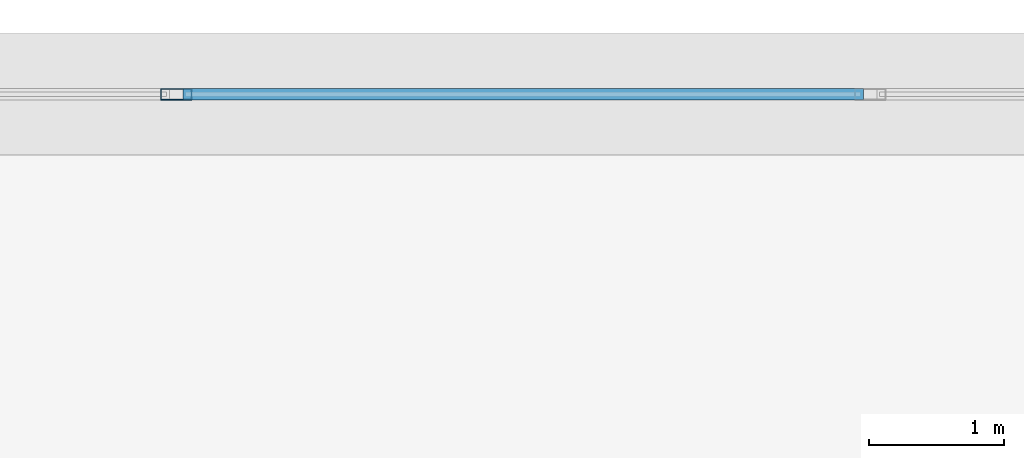
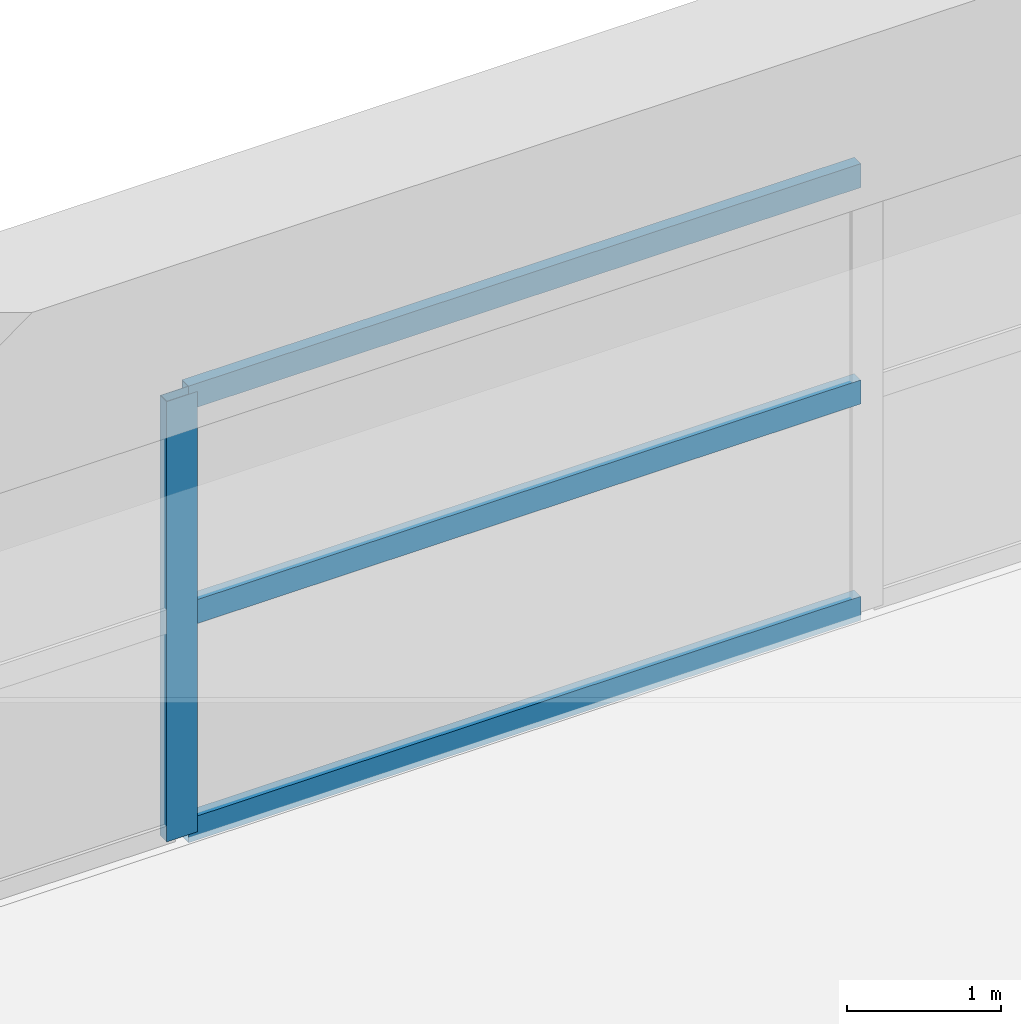
# One storey, part 20 of 43: 4 members, 1 element without a shape of its own.
"""IFC4 building model written with IfcOpenShell, lengths in metres."""

from ifc_helpers import new_model, si_unit, direction, frame, origin, origin_2d, place, context, subcontext, project, spatial, hollow_rectangle, extrude, material, material_profile, profile_set, type_object, element, aggregate, save


model = new_model("IFC4")

# Units and contexts
model_context = context("Model", 3, precision=1e-05, world=origin(), true_north=direction((0.0, 1.0)))
body_context = subcontext(model_context, "Body", "Model", "MODEL_VIEW")
ifc_project = project(units=[si_unit("LENGTHUNIT", "METRE"), si_unit("AREAUNIT", "SQUARE_METRE"), si_unit("VOLUMEUNIT", "CUBIC_METRE"), si_unit("PLANEANGLEUNIT", "RADIAN"), si_unit("MASSUNIT", "GRAM", prefix="KILO")], contexts=[model_context])

# Site, building, storey
site_placement = place(None, origin())
site = spatial("IfcSite", under=ifc_project, at=site_placement, CompositionType="ELEMENT")
building_placement = place(site_placement, origin())
building = spatial("IfcBuilding", under=site, at=building_placement, Name="Kovane Verandah Tower", CompositionType="ELEMENT")
storey_placement = place(building_placement, frame((0.0, 0.0, 11.199951171875)))
storey = spatial("IfcBuildingStorey", under=building, at=storey_placement, Name="L02", CompositionType="ELEMENT", Elevation=11.199951171875)

# Curtain wall, members
ifc_material_1 = material(Name="Champagne Anodised Aluminium Frame with Low-E Clear Laminated Glass", Category="aluminium")
curtain_wall_type = type_object("IfcCurtainWallType", Name="CW-SYS-01-POD", PredefinedType="NOTDEFINED", material=ifc_material_1)
curtain_wall_placement = place(storey_placement, origin())
curtain_wall = element("IfcCurtainWall", 1, at=curtain_wall_placement, inside=storey, type_object=curtain_wall_type, Name="L02 North Podium Curtain Wall Bay 4", PredefinedType="NOTDEFINED")
ifc_material_2 = material(Name="Champagne Anodised Aluminium 6063-T6", Category="aluminium")
ifc_material_profile_1 = material_profile(ifc_material_2, hollow_rectangle(XDim=0.0849609375, YDim=0.22998046875, WallThickness=0.00390625, at=origin_2d()), Name="AL85x230x4")
ifc_profile_set_1 = profile_set([ifc_material_profile_1], Name="Champagne Anodised Aluminium 6063-T6")
member_type_1 = type_object("IfcMemberType", Name="CW-MUL-85x230", PredefinedType="MULLION", material=ifc_profile_set_1)
member_1_placement = place(storey_placement, frame((34.860107421875, 56.5, 0.02001953125), z_axis=(0.0, 0.0, 1.0), x_axis=(0.0, 1.0, 0.0)))
member_1 = element("IfcMember", 2, at=member_1_placement, type_object=member_type_1, Name="L02 North Podium Curtain Wall Bay 4 Mullion 4", PredefinedType="MULLION", context=body_context, shape_type="SweptSolid", body=[
    extrude(hollow_rectangle(XDim=0.0849609375, YDim=0.22998046875, WallThickness=0.00390625, at=origin_2d()), origin(), (0.0, 0.0, 1.0), 3.489990234375),
])
ifc_material_profile_2 = material_profile(ifc_material_2, hollow_rectangle(XDim=0.0849609375, YDim=0.18994140625, WallThickness=0.00390625, at=origin_2d()), Name="AL85x190x4")
ifc_profile_set_2 = profile_set([ifc_material_profile_2], Name="Champagne Anodised Aluminium 6063-T6")
member_type_2 = type_object("IfcMemberType", Name="CW-TRN-85x190", PredefinedType="USERDEFINED", material=ifc_profile_set_2)
member_2_placement = place(storey_placement, frame((39.949951171875, 56.5, 0.050048828125), z_axis=(-1.0, 0.0, 0.0), x_axis=(0.0, -1.0, 0.0)))
member_2 = element("IfcMember", 3, at=member_2_placement, type_object=member_type_2, Name="L02 North Podium Curtain Wall Bay 4 Transom TB Bay 3", ObjectType="TRANSOM", PredefinedType="USERDEFINED", context=body_context, shape_type="SweptSolid", body=[
    extrude(hollow_rectangle(XDim=0.0849609375, YDim=0.18994140625, WallThickness=0.00390625, at=origin_2d()), origin(), (0.0, 0.0, 1.0), 5.0400390625),
])
member_3_placement = place(storey_placement, frame((39.949951171875, 56.5, 1.76513671875), z_axis=(-1.0, 0.0, 0.0), x_axis=(0.0, -1.0, 0.0)))
member_3 = element("IfcMember", 4, at=member_3_placement, type_object=member_type_2, Name="L02 North Podium Curtain Wall Bay 4 Transom TM Bay 3", ObjectType="TRANSOM", PredefinedType="USERDEFINED", context=body_context, shape_type="SweptSolid", body=[
    extrude(hollow_rectangle(XDim=0.0849609375, YDim=0.18994140625, WallThickness=0.00390625, at=origin_2d()), origin(), (0.0, 0.0, 1.0), 5.0400390625),
])
member_4_placement = place(storey_placement, frame((39.949951171875, 56.5, 3.47998046875), z_axis=(-1.0, 0.0, 0.0), x_axis=(0.0, -1.0, 0.0)))
member_4 = element("IfcMember", 5, at=member_4_placement, type_object=member_type_2, Name="L02 North Podium Curtain Wall Bay 4 Transom TT Bay 3", ObjectType="TRANSOM", PredefinedType="USERDEFINED", context=body_context, shape_type="SweptSolid", body=[
    extrude(hollow_rectangle(XDim=0.0849609375, YDim=0.18994140625, WallThickness=0.00390625, at=origin_2d()), origin(), (0.0, 0.0, 1.0), 5.0400390625),
])
aggregate(curtain_wall, [member_1, member_2, member_3, member_4])

save(model, "model.ifc")
